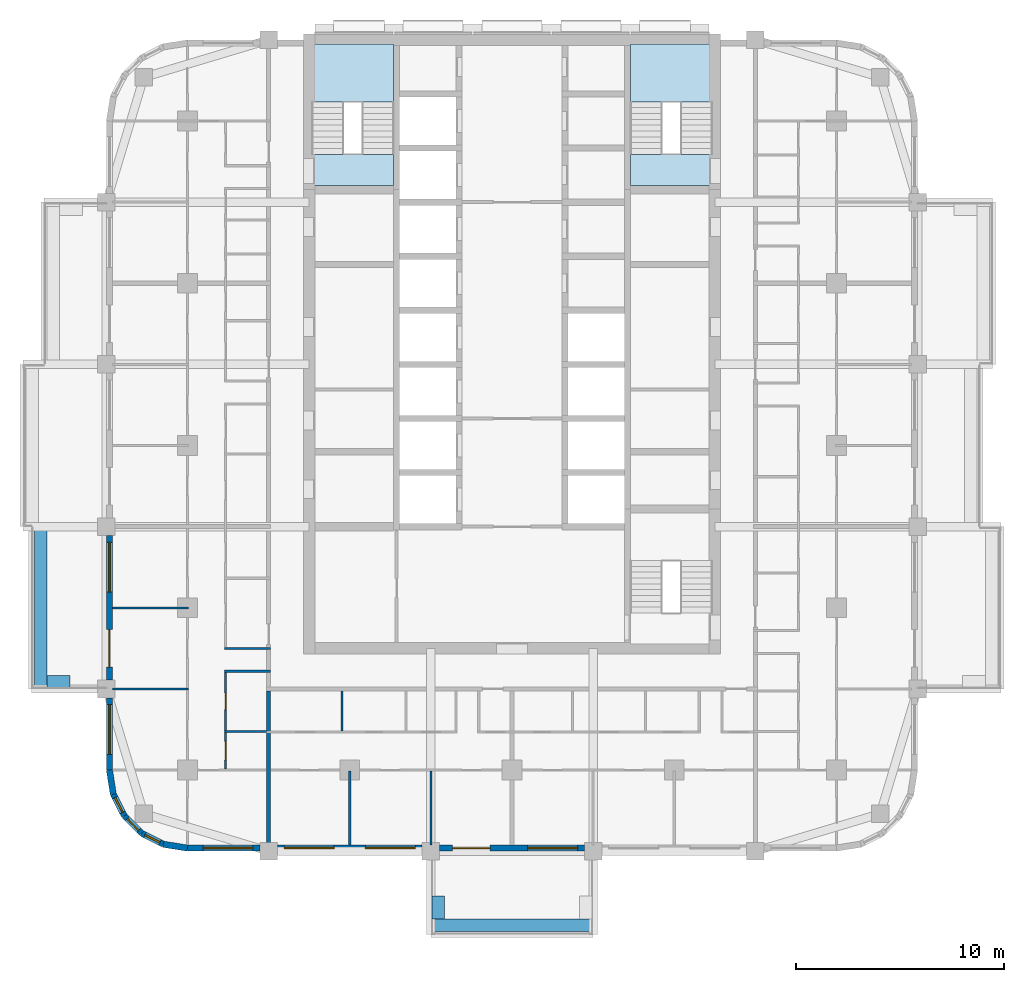
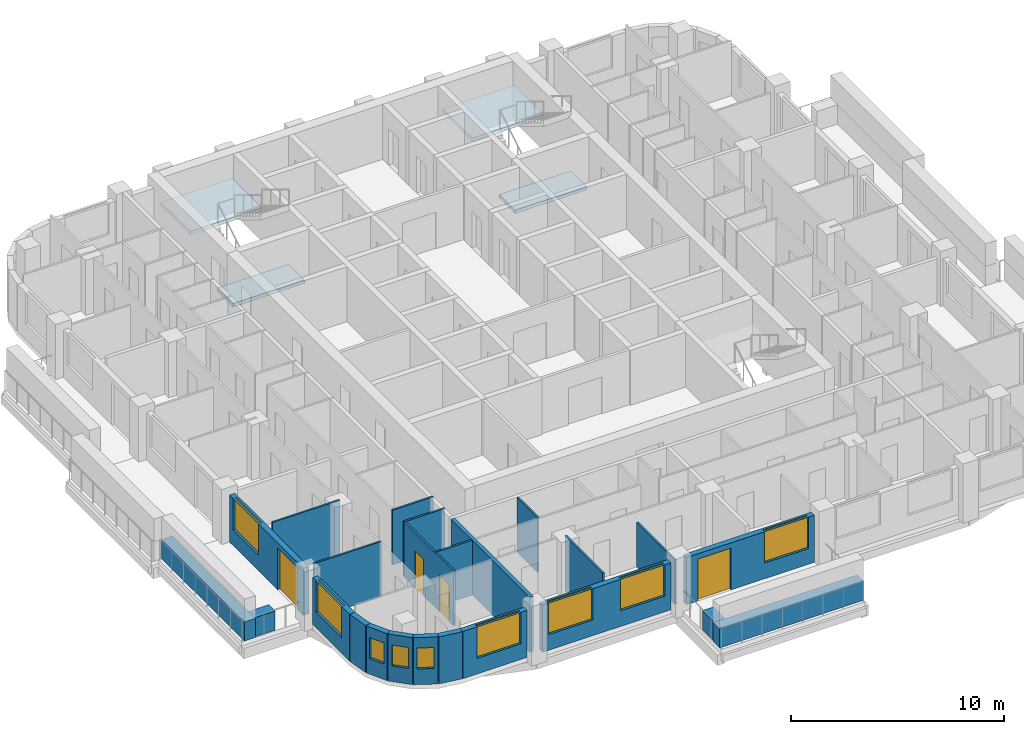
# One storey, part 2 of 14: 24 walls, 9 windows, 4 doors, 4 slabs, 13 openings, 2 elements without a shape of their own.
"""IFC4 building model written with IfcOpenShell, lengths in metres."""

from ifc_helpers import new_model, si_unit, direction, frame, frame_2d, origin, place, context, subcontext, project, spatial, polyline, rectangle, outline, extrude, material, layer, layer_set, type_object, element, fill, aggregate, save


model = new_model("IFC4")

# Units and contexts
model_context = context("Model", 3, precision=1e-05, world=origin(), true_north=direction((0.0, 1.0)))
body_context = subcontext(model_context, "Body", "Model", "MODEL_VIEW")
ifc_project = project(units=[si_unit("LENGTHUNIT", "METRE"), si_unit("AREAUNIT", "SQUARE_METRE"), si_unit("VOLUMEUNIT", "CUBIC_METRE"), si_unit("PLANEANGLEUNIT", "RADIAN"), si_unit("MASSUNIT", "GRAM", prefix="KILO")], contexts=[model_context])

# Site, building, storey
site_placement = place(None, origin())
site = spatial("IfcSite", under=ifc_project, at=site_placement, CompositionType="ELEMENT")
building_placement = place(site_placement, origin())
building = spatial("IfcBuilding", under=site, at=building_placement, Name="Ludao Terraces", CompositionType="ELEMENT")
storey_placement = place(building_placement, frame((0.0, 0.0, 110.10009765625)))
storey = spatial("IfcBuildingStorey", under=building, at=storey_placement, Name="L30", CompositionType="ELEMENT", Elevation=110.10009765625)

# Stair, slabs
ifc_material_1 = material(Name="Concrete C40", Category="concrete")
stair_type = type_object("IfcStairType", Name="INT Stair", PredefinedType="HALF_TURN_STAIR", material=ifc_material_1)
stair_1_placement = place(storey_placement, origin())
stair_1 = element("IfcStair", 1, at=stair_1_placement, inside=storey, type_object=stair_type, Name="EXIT STAIR 1", PredefinedType="HALF_TURN_STAIR")
ifc_layer_1 = layer(ifc_material_1, 0.199951171875)
ifc_layer_set_1 = layer_set([ifc_layer_1], Name="INT Stair landing 200")
slab_type = type_object("IfcSlabType", Name="INT Stair landing 200", PredefinedType="LANDING", material=ifc_layer_set_1)
slab_1_placement = place(storey_placement, frame((0.0, 0.0, 1.5)))
slab_1 = element("IfcSlab", 2, at=slab_1_placement, type_object=slab_type, Name="ST1 landing 1", PredefinedType="LANDING", context=body_context, shape_type="SweptSolid", body=[
    extrude(outline(polyline([(75.39990234375, 81.52001953125), (79.300048828125, 81.52001953125), (79.300048828125, 84.300048828125), (75.39990234375, 84.300048828125), (75.39990234375, 81.52001953125)])), origin(), (0.0, 0.0, 1.0), 0.199951171875),
])
slab_2_placement = place(storey_placement, frame((0.0, 0.0, -0.2001953125)))
slab_2 = element("IfcSlab", 3, at=slab_2_placement, type_object=slab_type, Name="ST1 landing 2", PredefinedType="LANDING", context=body_context, shape_type="SweptSolid", body=[
    extrude(outline(polyline([(75.39990234375, 77.5), (79.300048828125, 77.5), (79.300048828125, 79.0), (75.39990234375, 79.0), (75.39990234375, 77.5)])), origin(), (0.0, 0.0, 1.0), 0.2001953125),
])
aggregate(stair_1, [slab_1, slab_2])

stair_2_placement = place(storey_placement, origin())
stair_2 = element("IfcStair", 4, at=stair_2_placement, inside=storey, type_object=stair_type, Name="EXIT STAIR 2", PredefinedType="HALF_TURN_STAIR")
slab_3_placement = place(storey_placement, frame((0.0, 0.0, 1.5)))
slab_3 = element("IfcSlab", 5, at=slab_3_placement, type_object=slab_type, Name="ST2 landing 1", PredefinedType="LANDING", context=body_context, shape_type="SweptSolid", body=[
    extrude(outline(polyline([(90.699951171875, 81.52001953125), (94.60009765625, 81.52001953125), (94.60009765625, 84.300048828125), (90.699951171875, 84.300048828125), (90.699951171875, 81.52001953125)])), origin(), (0.0, 0.0, 1.0), 0.199951171875),
])
slab_4_placement = place(storey_placement, frame((0.0, 0.0, -0.2001953125)))
slab_4 = element("IfcSlab", 6, at=slab_4_placement, type_object=slab_type, Name="ST2 landing 2", PredefinedType="LANDING", context=body_context, shape_type="SweptSolid", body=[
    extrude(outline(polyline([(90.699951171875, 77.5), (94.60009765625, 77.5), (94.60009765625, 79.0), (90.699951171875, 79.0), (90.699951171875, 77.5)])), origin(), (0.0, 0.0, 1.0), 0.2001953125),
])
aggregate(stair_2, [slab_3, slab_4])

# Walls
ifc_layer_2 = layer(ifc_material_1, 0.60009765625)
ifc_layer_set_2 = layer_set([ifc_layer_2], Name="ENV Planter trough 600")
wall_type_1 = type_object("IfcWallType", Name="ENV Planter trough 600", PredefinedType="USERDEFINED", material=ifc_layer_set_2)
wall_1_placement = place(storey_placement, frame((81.10009765625, 41.949951171875, 0.0), z_axis=(0.0, 0.0, 1.0), x_axis=(1.0, 0.0, 0.0)))
element("IfcWall", 7, at=wall_1_placement, inside=storey, type_object=wall_type_1, Name="PL-L30-S1", ObjectType="PLANTER", PredefinedType="USERDEFINED", context=body_context, shape_type="SweptSolid", body=[
    extrude(rectangle(XDim=7.7998046875, YDim=0.60009765625, at=frame_2d((3.89990234375, 0.0))), origin(), (0.0, 0.0, 1.0), 1.099853515625),
])
wall_2_placement = place(storey_placement, frame((81.449951171875, 42.25, 0.0), z_axis=(0.0, 0.0, 1.0), x_axis=(0.0, 1.0, 0.0)))
element("IfcWall", 8, at=wall_2_placement, inside=storey, type_object=wall_type_1, Name="PL-L30-S1-SA", ObjectType="PLANTER", PredefinedType="USERDEFINED", context=body_context, shape_type="SweptSolid", body=[
    extrude(rectangle(XDim=1.10009765625, YDim=0.60009765625, at=frame_2d((0.550048828125, 0.0))), origin(), (0.0, 0.0, 1.0), 1.099853515625),
])
wall_3_placement = place(storey_placement, frame((62.35009765625, 53.300048828125, 0.0), z_axis=(0.0, 0.0, 1.0), x_axis=(0.0, 1.0, 0.0)))
element("IfcWall", 9, at=wall_3_placement, inside=storey, type_object=wall_type_1, Name="PL-L30-W1", ObjectType="PLANTER", PredefinedType="USERDEFINED", context=body_context, shape_type="SweptSolid", body=[
    extrude(rectangle(XDim=7.800048828125, YDim=0.60009765625, at=frame_2d((3.89990234375, 0.0))), origin(), (0.0, 0.0, 1.0), 1.099853515625),
])
wall_4_placement = place(storey_placement, frame((62.64990234375, 53.64990234375, 0.0), z_axis=(0.0, 0.0, 1.0), x_axis=(1.0, 0.0, 0.0)))
element("IfcWall", 10, at=wall_4_placement, inside=storey, type_object=wall_type_1, Name="PL-L30-W1-SA", ObjectType="PLANTER", PredefinedType="USERDEFINED", context=body_context, shape_type="SweptSolid", body=[
    extrude(rectangle(XDim=1.10009765625, YDim=0.60009765625, at=frame_2d((0.550048828125, 0.0))), origin(), (0.0, 0.0, 1.0), 1.099853515625),
])

# Wall, opening, window
ifc_material_2 = material(Name="Granite cladding", Category="masonry")
ifc_layer_3 = layer(ifc_material_2, 0.0400390625, Category="stone")
ifc_material_3 = material(Name="Mineral wool")
ifc_layer_4 = layer(ifc_material_3, 0.06005859375)
ifc_layer_5 = layer(ifc_material_1, 0.199951171875, Category="concrete")
ifc_layer_set_3 = layer_set([ifc_layer_3, ifc_layer_4, ifc_layer_5], Name="ENV Stone-clad wall 300")
wall_type_2 = type_object("IfcWallType", Name="ENV Stone-clad wall 300", PredefinedType="SOLIDWALL", material=ifc_layer_set_3)
wall_5_placement = place(storey_placement, frame((69.39990234375, 45.64990234375, 0.0), z_axis=(0.0, 0.0, 1.0), x_axis=(1.0, 0.0, 0.0)))
wall_5 = element("IfcWall", 11, at=wall_5_placement, inside=storey, type_object=wall_type_2, Name="EW-L30-S1", PredefinedType="SOLIDWALL", context=body_context, shape_type="SweptSolid", body=[
    extrude(rectangle(XDim=3.47509765625, YDim=0.300048828125, at=frame_2d((1.737548828125, 0.0))), origin(), (0.0, 0.0, 1.0), 2.699951171875),
])
opening_1_placement = place(wall_5_placement, frame((0.75, 0.0, 0.89990234375)))
opening_1 = element("IfcOpeningElement", 12, at=opening_1_placement, cuts=wall_5, Name="Opening W1", PredefinedType="OPENING", context=body_context, shape_type="SweptSolid", body=[
    extrude(rectangle(XDim=2.39990234375, YDim=1.800048828125, at=frame_2d((1.199951171875, 0.89990234375))), frame((0.0, 0.16015625, 0.0), z_axis=(0.0, -1.0, 0.0), x_axis=(1.0, 0.0, 0.0)), (0.0, 0.0, 1.0), 0.320068359375),
])
ifc_material_4 = material(Name="Clear glass in aluminium frame", Category="aluminium")
ifc_layer_6 = layer(ifc_material_4, 0.06005859375)
ifc_layer_set_4 = layer_set([ifc_layer_6], Name="ENV Window W1 2400x1800")
window_type_1 = type_object("IfcWindowType", Name="ENV Window W1 2400x1800", PartitioningType="DOUBLE_PANEL_VERTICAL", PredefinedType="WINDOW", material=ifc_layer_set_4)
window_1_placement = place(opening_1_placement, origin())
window_1 = element("IfcWindow", 13, at=window_1_placement, inside=storey, type_object=window_type_1, Name="W-L30-S1-1", OverallHeight=1.800048828125, OverallWidth=2.39990234375, PartitioningType="DOUBLE_PANEL_VERTICAL", PredefinedType="WINDOW", context=body_context, shape_type="SweptSolid", body=[
    extrude(rectangle(XDim=2.39990234375, YDim=1.800048828125, at=frame_2d((1.199951171875, 0.89990234375))), frame((0.0, 0.030029296875, 0.0), z_axis=(0.0, -1.0, 0.0), x_axis=(1.0, 0.0, 0.0)), (0.0, 0.0, 1.0), 0.06005859375),
])
fill(opening_1, window_1)

# Wall, openings, windows
wall_6_placement = place(storey_placement, frame((73.72509765625, 45.64990234375, 0.0), z_axis=(0.0, 0.0, 1.0), x_axis=(1.0, 0.0, 0.0)))
wall_6 = element("IfcWall", 14, at=wall_6_placement, inside=storey, type_object=wall_type_2, Name="EW-L30-S2", PredefinedType="SOLIDWALL", context=body_context, shape_type="SweptSolid", body=[
    extrude(rectangle(XDim=6.949951171875, YDim=0.300048828125, at=frame_2d((3.47509765625, 0.0))), origin(), (0.0, 0.0, 1.0), 2.699951171875),
])
opening_2_placement = place(wall_6_placement, frame((0.324951171875, 0.0, 0.89990234375)))
opening_2 = element("IfcOpeningElement", 15, at=opening_2_placement, cuts=wall_6, Name="Opening W1", PredefinedType="OPENING", context=body_context, shape_type="SweptSolid", body=[
    extrude(rectangle(XDim=2.39990234375, YDim=1.800048828125, at=frame_2d((1.199951171875, 0.89990234375))), frame((0.0, 0.16015625, 0.0), z_axis=(0.0, -1.0, 0.0), x_axis=(1.0, 0.0, 0.0)), (0.0, 0.0, 1.0), 0.320068359375),
])
opening_3_placement = place(wall_6_placement, frame((4.22509765625, 0.0, 0.89990234375)))
opening_3 = element("IfcOpeningElement", 16, at=opening_3_placement, cuts=wall_6, Name="Opening W1", PredefinedType="OPENING", context=body_context, shape_type="SweptSolid", body=[
    extrude(rectangle(XDim=2.39990234375, YDim=1.800048828125, at=frame_2d((1.199951171875, 0.89990234375))), frame((0.0, 0.16015625, 0.0), z_axis=(0.0, -1.0, 0.0), x_axis=(1.0, 0.0, 0.0)), (0.0, 0.0, 1.0), 0.320068359375),
])
window_2_placement = place(opening_2_placement, origin())
window_2 = element("IfcWindow", 17, at=window_2_placement, inside=storey, type_object=window_type_1, Name="W-L30-S2-1", OverallHeight=1.800048828125, OverallWidth=2.39990234375, PartitioningType="DOUBLE_PANEL_VERTICAL", PredefinedType="WINDOW", context=body_context, shape_type="SweptSolid", body=[
    extrude(rectangle(XDim=2.39990234375, YDim=1.800048828125, at=frame_2d((1.199951171875, 0.89990234375))), frame((0.0, 0.030029296875, 0.0), z_axis=(0.0, -1.0, 0.0), x_axis=(1.0, 0.0, 0.0)), (0.0, 0.0, 1.0), 0.06005859375),
])
fill(opening_2, window_2)
window_3_placement = place(opening_3_placement, origin())
window_3 = element("IfcWindow", 18, at=window_3_placement, inside=storey, type_object=window_type_1, Name="W-L30-S2-2", OverallHeight=1.800048828125, OverallWidth=2.39990234375, PartitioningType="DOUBLE_PANEL_VERTICAL", PredefinedType="WINDOW", context=body_context, shape_type="SweptSolid", body=[
    extrude(rectangle(XDim=2.39990234375, YDim=1.800048828125, at=frame_2d((1.199951171875, 0.89990234375))), frame((0.0, 0.030029296875, 0.0), z_axis=(0.0, -1.0, 0.0), x_axis=(1.0, 0.0, 0.0)), (0.0, 0.0, 1.0), 0.06005859375),
])
fill(opening_3, window_3)

# Wall, openings, door, window
wall_7_placement = place(storey_placement, frame((81.52490234375, 45.64990234375, 0.0), z_axis=(0.0, 0.0, 1.0), x_axis=(1.0, 0.0, 0.0)))
wall_7 = element("IfcWall", 19, at=wall_7_placement, inside=storey, type_object=wall_type_2, Name="EW-L30-S3", PredefinedType="SOLIDWALL", context=body_context, shape_type="SweptSolid", body=[
    extrude(rectangle(XDim=6.9501953125, YDim=0.300048828125, at=frame_2d((3.47509765625, 0.0))), origin(), (0.0, 0.0, 1.0), 2.699951171875),
])
opening_4_placement = place(wall_7_placement, frame((0.625, 0.0, 0.0)))
opening_4 = element("IfcOpeningElement", 20, at=opening_4_placement, cuts=wall_7, Name="Opening BD", PredefinedType="OPENING", context=body_context, shape_type="SweptSolid", body=[
    extrude(rectangle(XDim=1.800048828125, YDim=2.39990234375, at=frame_2d((0.89990234375, 1.199951171875))), frame((0.0, 0.16015625, 0.0), z_axis=(0.0, -1.0, 0.0), x_axis=(1.0, 0.0, 0.0)), (0.0, 0.0, 1.0), 0.320068359375),
])
opening_5_placement = place(wall_7_placement, frame((4.22509765625, 0.0, 0.89990234375)))
opening_5 = element("IfcOpeningElement", 21, at=opening_5_placement, cuts=wall_7, Name="Opening W1", PredefinedType="OPENING", context=body_context, shape_type="SweptSolid", body=[
    extrude(rectangle(XDim=2.39990234375, YDim=1.800048828125, at=frame_2d((1.199951171875, 0.89990234375))), frame((0.0, 0.16015625, 0.0), z_axis=(0.0, -1.0, 0.0), x_axis=(1.0, 0.0, 0.0)), (0.0, 0.0, 1.0), 0.320068359375),
])
ifc_material_5 = material(Name="Aluminium glazed door", Category="aluminium")
ifc_layer_7 = layer(ifc_material_5, 0.06005859375)
ifc_layer_set_5 = layer_set([ifc_layer_7], Name="ENV Balcony door BD 1800x2400")
door_type_1 = type_object("IfcDoorType", Name="ENV Balcony door BD 1800x2400", OperationType="DOUBLE_DOOR_SINGLE_SWING", PredefinedType="DOOR", material=ifc_layer_set_5)
door_1_placement = place(opening_4_placement, origin())
door_1 = element("IfcDoor", 22, at=door_1_placement, inside=storey, type_object=door_type_1, Name="BD-L30-S3-1", OperationType="DOUBLE_DOOR_SINGLE_SWING", OverallHeight=2.39990234375, OverallWidth=1.800048828125, PredefinedType="DOOR", context=body_context, shape_type="SweptSolid", body=[
    extrude(rectangle(XDim=1.800048828125, YDim=2.39990234375, at=frame_2d((0.89990234375, 1.199951171875))), frame((0.0, 0.02490234375, 0.0), z_axis=(0.0, -1.0, 0.0), x_axis=(1.0, 0.0, 0.0)), (0.0, 0.0, 1.0), 0.050048828125),
])
fill(opening_4, door_1)
window_4_placement = place(opening_5_placement, origin())
window_4 = element("IfcWindow", 23, at=window_4_placement, inside=storey, type_object=window_type_1, Name="W-L30-S3-2", OverallHeight=1.800048828125, OverallWidth=2.39990234375, PartitioningType="DOUBLE_PANEL_VERTICAL", PredefinedType="WINDOW", context=body_context, shape_type="SweptSolid", body=[
    extrude(rectangle(XDim=2.39990234375, YDim=1.800048828125, at=frame_2d((1.199951171875, 0.89990234375))), frame((0.0, 0.030029296875, 0.0), z_axis=(0.0, -1.0, 0.0), x_axis=(1.0, 0.0, 0.0)), (0.0, 0.0, 1.0), 0.06005859375),
])
fill(opening_5, window_4)

# Wall, opening, window
wall_8_placement = place(storey_placement, frame((65.64990234375, 49.39990234375, 0.0), z_axis=(0.0, 0.0, 1.0), x_axis=(0.0, 1.0, 0.0)))
wall_8 = element("IfcWall", 24, at=wall_8_placement, inside=storey, type_object=wall_type_2, Name="EW-L30-W1", PredefinedType="SOLIDWALL", context=body_context, shape_type="SweptSolid", body=[
    extrude(rectangle(XDim=3.47509765625, YDim=0.300048828125, at=frame_2d((1.737548828125, 0.0))), origin(), (0.0, 0.0, 1.0), 2.699951171875),
])
opening_6_placement = place(wall_8_placement, frame((0.75, 0.0, 0.89990234375)))
opening_6 = element("IfcOpeningElement", 25, at=opening_6_placement, cuts=wall_8, Name="Opening W1", PredefinedType="OPENING", context=body_context, shape_type="SweptSolid", body=[
    extrude(rectangle(XDim=2.39990234375, YDim=1.800048828125, at=frame_2d((1.199951171875, 0.89990234375))), frame((0.0, 0.16015625, 0.0), z_axis=(0.0, -1.0, 0.0), x_axis=(1.0, 0.0, 0.0)), (0.0, 0.0, 1.0), 0.320068359375),
])
window_5_placement = place(opening_6_placement, origin())
window_5 = element("IfcWindow", 26, at=window_5_placement, inside=storey, type_object=window_type_1, Name="W-L30-W1-1", OverallHeight=1.800048828125, OverallWidth=2.39990234375, PartitioningType="DOUBLE_PANEL_VERTICAL", PredefinedType="WINDOW", context=body_context, shape_type="SweptSolid", body=[
    extrude(rectangle(XDim=2.39990234375, YDim=1.800048828125, at=frame_2d((1.199951171875, 0.89990234375))), frame((0.0, 0.030029296875, 0.0), z_axis=(0.0, -1.0, 0.0), x_axis=(1.0, 0.0, 0.0)), (0.0, 0.0, 1.0), 0.06005859375),
])
fill(opening_6, window_5)

# Wall, openings, door, window
wall_9_placement = place(storey_placement, frame((65.64990234375, 53.72509765625, 0.0), z_axis=(0.0, 0.0, 1.0), x_axis=(0.0, 1.0, 0.0)))
wall_9 = element("IfcWall", 27, at=wall_9_placement, inside=storey, type_object=wall_type_2, Name="EW-L30-W2", PredefinedType="SOLIDWALL", context=body_context, shape_type="SweptSolid", body=[
    extrude(rectangle(XDim=6.949951171875, YDim=0.300048828125, at=frame_2d((3.47509765625, 0.0))), origin(), (0.0, 0.0, 1.0), 2.699951171875),
])
opening_7_placement = place(wall_9_placement, frame((0.625, 0.0, 0.0)))
opening_7 = element("IfcOpeningElement", 28, at=opening_7_placement, cuts=wall_9, Name="Opening BD", PredefinedType="OPENING", context=body_context, shape_type="SweptSolid", body=[
    extrude(rectangle(XDim=1.800048828125, YDim=2.39990234375, at=frame_2d((0.89990234375, 1.199951171875))), frame((0.0, 0.16015625, 0.0), z_axis=(0.0, -1.0, 0.0), x_axis=(1.0, 0.0, 0.0)), (0.0, 0.0, 1.0), 0.320068359375),
])
opening_8_placement = place(wall_9_placement, frame((4.22509765625, 0.0, 0.89990234375)))
opening_8 = element("IfcOpeningElement", 29, at=opening_8_placement, cuts=wall_9, Name="Opening W1", PredefinedType="OPENING", context=body_context, shape_type="SweptSolid", body=[
    extrude(rectangle(XDim=2.39990234375, YDim=1.800048828125, at=frame_2d((1.199951171875, 0.89990234375))), frame((0.0, 0.16015625, 0.0), z_axis=(0.0, -1.0, 0.0), x_axis=(1.0, 0.0, 0.0)), (0.0, 0.0, 1.0), 0.320068359375),
])
door_2_placement = place(opening_7_placement, origin())
door_2 = element("IfcDoor", 30, at=door_2_placement, inside=storey, type_object=door_type_1, Name="BD-L30-W2-1", OperationType="DOUBLE_DOOR_SINGLE_SWING", OverallHeight=2.39990234375, OverallWidth=1.800048828125, PredefinedType="DOOR", context=body_context, shape_type="SweptSolid", body=[
    extrude(rectangle(XDim=1.800048828125, YDim=2.39990234375, at=frame_2d((0.89990234375, 1.199951171875))), frame((0.0, 0.02490234375, 0.0), z_axis=(0.0, -1.0, 0.0), x_axis=(1.0, 0.0, 0.0)), (0.0, 0.0, 1.0), 0.050048828125),
])
fill(opening_7, door_2)
window_6_placement = place(opening_8_placement, origin())
window_6 = element("IfcWindow", 31, at=window_6_placement, inside=storey, type_object=window_type_1, Name="W-L30-W2-2", OverallHeight=1.800048828125, OverallWidth=2.39990234375, PartitioningType="DOUBLE_PANEL_VERTICAL", PredefinedType="WINDOW", context=body_context, shape_type="SweptSolid", body=[
    extrude(rectangle(XDim=2.39990234375, YDim=1.800048828125, at=frame_2d((1.199951171875, 0.89990234375))), frame((0.0, 0.030029296875, 0.0), z_axis=(0.0, -1.0, 0.0), x_axis=(1.0, 0.0, 0.0)), (0.0, 0.0, 1.0), 0.06005859375),
])
fill(opening_8, window_6)

# Wall
wall_10_placement = place(storey_placement, frame((65.64990234375, 49.39990234375, 0.0), z_axis=(0.0, 0.0, 1.0), x_axis=(0.156496880861, -0.987678452879, 0.0)))
element("IfcWall", 32, at=wall_10_placement, inside=storey, type_object=wall_type_2, Name="EW-L30-SW1", PredefinedType="SOLIDWALL", context=body_context, shape_type="SweptSolid", body=[
    extrude(rectangle(XDim=1.173095703125, YDim=0.300048828125, at=frame_2d((0.58642578125, 0.0))), origin(), (0.0, 0.0, 1.0), 2.699951171875),
])

# Wall, opening, window
wall_11_placement = place(storey_placement, frame((65.83349609375, 48.2412109375, 0.0), z_axis=(0.0, 0.0, 1.0), x_axis=(0.454025524128, -0.890988677504, 0.0)))
wall_11 = element("IfcWall", 33, at=wall_11_placement, inside=storey, type_object=wall_type_2, Name="EW-L30-SW2", PredefinedType="SOLIDWALL", context=body_context, shape_type="SweptSolid", body=[
    extrude(rectangle(XDim=1.17333984375, YDim=0.300048828125, at=frame_2d((0.586669921875, 0.0))), origin(), (0.0, 0.0, 1.0), 2.699951171875),
])
opening_9_placement = place(wall_11_placement, frame((0.1865234375, 0.0, 0.89990234375)))
opening_9 = element("IfcOpeningElement", 34, at=opening_9_placement, cuts=wall_11, Name="Opening W3", PredefinedType="OPENING", context=body_context, shape_type="SweptSolid", body=[
    extrude(rectangle(XDim=0.800048828125, YDim=1.199951171875, at=frame_2d((0.39990234375, 0.60009765625))), frame((0.0, 0.16015625, 0.0), z_axis=(0.0, -1.0, 0.0), x_axis=(1.0, 0.0, 0.0)), (0.0, 0.0, 1.0), 0.320068359375),
])
ifc_layer_8 = layer(ifc_material_4, 0.06005859375)
ifc_layer_set_6 = layer_set([ifc_layer_8], Name="ENV Window W3 800x1200")
window_type_2 = type_object("IfcWindowType", Name="ENV Window W3 800x1200", PartitioningType="SINGLE_PANEL", PredefinedType="WINDOW", material=ifc_layer_set_6)
window_7_placement = place(opening_9_placement, origin())
window_7 = element("IfcWindow", 35, at=window_7_placement, inside=storey, type_object=window_type_2, Name="W-L30-SW2", OverallHeight=1.199951171875, OverallWidth=0.800048828125, PartitioningType="SINGLE_PANEL", PredefinedType="WINDOW", context=body_context, shape_type="SweptSolid", body=[
    extrude(rectangle(XDim=0.800048828125, YDim=1.199951171875, at=frame_2d((0.39990234375, 0.60009765625))), frame((0.0, 0.030029296875, 0.0), z_axis=(0.0, -1.0, 0.0), x_axis=(1.0, 0.0, 0.0)), (0.0, 0.0, 1.0), 0.06005859375),
])
fill(opening_9, window_7)

wall_12_placement = place(storey_placement, frame((66.3662109375, 47.19580078125, 0.0), z_axis=(0.0, 0.0, 1.0), x_axis=(0.707106781187, -0.707106781187, 0.0)))
wall_12 = element("IfcWall", 36, at=wall_12_placement, inside=storey, type_object=wall_type_2, Name="EW-L30-SW3", PredefinedType="SOLIDWALL", context=body_context, shape_type="SweptSolid", body=[
    extrude(rectangle(XDim=1.173095703125, YDim=0.300048828125, at=frame_2d((0.58642578125, 0.0))), origin(), (0.0, 0.0, 1.0), 2.699951171875),
])
opening_10_placement = place(wall_12_placement, frame((0.1865234375, 0.0, 0.89990234375)))
opening_10 = element("IfcOpeningElement", 37, at=opening_10_placement, cuts=wall_12, Name="Opening W3", PredefinedType="OPENING", context=body_context, shape_type="SweptSolid", body=[
    extrude(rectangle(XDim=0.800048828125, YDim=1.199951171875, at=frame_2d((0.39990234375, 0.60009765625))), frame((0.0, 0.16015625, 0.0), z_axis=(0.0, -1.0, 0.0), x_axis=(1.0, 0.0, 0.0)), (0.0, 0.0, 1.0), 0.320068359375),
])
window_8_placement = place(opening_10_placement, origin())
window_8 = element("IfcWindow", 38, at=window_8_placement, inside=storey, type_object=window_type_2, Name="W-L30-SW3", OverallHeight=1.199951171875, OverallWidth=0.800048828125, PartitioningType="SINGLE_PANEL", PredefinedType="WINDOW", context=body_context, shape_type="SweptSolid", body=[
    extrude(rectangle(XDim=0.800048828125, YDim=1.199951171875, at=frame_2d((0.39990234375, 0.60009765625))), frame((0.0, 0.030029296875, 0.0), z_axis=(0.0, -1.0, 0.0), x_axis=(1.0, 0.0, 0.0)), (0.0, 0.0, 1.0), 0.06005859375),
])
fill(opening_10, window_8)

wall_13_placement = place(storey_placement, frame((67.19580078125, 46.3662109375, 0.0), z_axis=(0.0, 0.0, 1.0), x_axis=(0.890988677504, -0.454025524128, 0.0)))
wall_13 = element("IfcWall", 39, at=wall_13_placement, inside=storey, type_object=wall_type_2, Name="EW-L30-SW4", PredefinedType="SOLIDWALL", context=body_context, shape_type="SweptSolid", body=[
    extrude(rectangle(XDim=1.17333984375, YDim=0.300048828125, at=frame_2d((0.586669921875, 0.0))), origin(), (0.0, 0.0, 1.0), 2.699951171875),
])
opening_11_placement = place(wall_13_placement, frame((0.1865234375, 0.0, 0.89990234375)))
opening_11 = element("IfcOpeningElement", 40, at=opening_11_placement, cuts=wall_13, Name="Opening W3", PredefinedType="OPENING", context=body_context, shape_type="SweptSolid", body=[
    extrude(rectangle(XDim=0.800048828125, YDim=1.199951171875, at=frame_2d((0.39990234375, 0.60009765625))), frame((0.0, 0.16015625, 0.0), z_axis=(0.0, -1.0, 0.0), x_axis=(1.0, 0.0, 0.0)), (0.0, 0.0, 1.0), 0.320068359375),
])
window_9_placement = place(opening_11_placement, origin())
window_9 = element("IfcWindow", 41, at=window_9_placement, inside=storey, type_object=window_type_2, Name="W-L30-SW4", OverallHeight=1.199951171875, OverallWidth=0.800048828125, PartitioningType="SINGLE_PANEL", PredefinedType="WINDOW", context=body_context, shape_type="SweptSolid", body=[
    extrude(rectangle(XDim=0.800048828125, YDim=1.199951171875, at=frame_2d((0.39990234375, 0.60009765625))), frame((0.0, 0.030029296875, 0.0), z_axis=(0.0, -1.0, 0.0), x_axis=(1.0, 0.0, 0.0)), (0.0, 0.0, 1.0), 0.06005859375),
])
fill(opening_11, window_9)

# Walls
wall_14_placement = place(storey_placement, frame((68.2412109375, 45.83349609375, 0.0), z_axis=(0.0, 0.0, 1.0), x_axis=(0.987678452879, -0.156496880861, 0.0)))
element("IfcWall", 42, at=wall_14_placement, inside=storey, type_object=wall_type_2, Name="EW-L30-SW5", PredefinedType="SOLIDWALL", context=body_context, shape_type="SweptSolid", body=[
    extrude(rectangle(XDim=1.173095703125, YDim=0.300048828125, at=frame_2d((0.58642578125, 0.0))), origin(), (0.0, 0.0, 1.0), 2.699951171875),
])
ifc_material_6 = material(Name="Gypsum plasterboard", Category="gypsum")
ifc_layer_9 = layer(ifc_material_6, 0.012451171875, Category="gypsum")
ifc_layer_10 = layer(ifc_material_3, 0.06005859375, Name="insulation")
ifc_material_7 = material(Name="Steel Q235", Category="steel")
ifc_layer_11 = layer(ifc_material_7, 0.014892578125, Name="stud")
ifc_layer_12 = layer(ifc_material_6, 0.012451171875, Category="gypsum")
ifc_layer_set_7 = layer_set([ifc_layer_9, ifc_layer_10, ifc_layer_11, ifc_layer_12], Name="INT Partition 100")
wall_type_3 = type_object("IfcWallType", Name="INT Partition 100", PredefinedType="PARTITIONING", material=ifc_layer_set_7)
wall_15_placement = place(storey_placement, frame((71.18017578125, 51.25, 0.0), z_axis=(0.0, 0.0, 1.0), x_axis=(1.0, 0.0, 0.0)))
element("IfcWall", 43, at=wall_15_placement, inside=storey, type_object=wall_type_3, Name="PW-L30-PW004", PredefinedType="PARTITIONING", context=body_context, shape_type="SweptSolid", body=[
    extrude(rectangle(XDim=2.02001953125, YDim=0.10009765625, at=frame_2d((1.010009765625, 0.0))), origin(), (0.0, 0.0, 1.0), 3.14990234375),
])
wall_16_placement = place(storey_placement, frame((65.800048828125, 53.300048828125, 0.0), z_axis=(0.0, 0.0, 1.0), x_axis=(1.0, 0.0, 0.0)))
element("IfcWall", 44, at=wall_16_placement, inside=storey, type_object=wall_type_3, Name="PW-L30-PW007", PredefinedType="PARTITIONING", context=body_context, shape_type="SweptSolid", body=[
    extrude(rectangle(XDim=3.650146484375, YDim=0.10009765625, at=frame_2d((1.8251953125, 0.0))), origin(), (0.0, 0.0, 1.0), 3.14990234375),
])
for number, where, z_axis, x_axis, name in (
    (45, (71.18017578125, 54.14990234375, 0.0), (0.0, 0.0, 1.0), (1.0, 0.0, 0.0), "PW-L30-PW010"),
    (46, (71.18017578125, 55.25, 0.0), (0.0, 0.0, 1.0), (1.0, 0.0, 0.0), "PW-L30-PW012"),
):
    element("IfcWall", number, at=place(storey_placement, frame(where, z_axis=z_axis, x_axis=x_axis)), inside=storey, type_object=wall_type_3, Name=name, PredefinedType="PARTITIONING", context=body_context, shape_type="SweptSolid", body=[
        extrude(rectangle(XDim=2.219970703125, YDim=0.10009765625, at=frame_2d((1.10986328125, 0.0))), origin(), (0.0, 0.0, 1.0), 3.14990234375),
    ])
wall_17_placement = place(storey_placement, frame((65.800048828125, 57.199951171875, 0.0), z_axis=(0.0, 0.0, 1.0), x_axis=(1.0, 0.0, 0.0)))
element("IfcWall", 47, at=wall_17_placement, inside=storey, type_object=wall_type_3, Name="PW-L30-PW014", PredefinedType="PARTITIONING", context=body_context, shape_type="SweptSolid", body=[
    extrude(rectangle(XDim=3.650146484375, YDim=0.10009765625, at=frame_2d((1.8251953125, 0.0))), origin(), (0.0, 0.0, 1.0), 3.14990234375),
])

# Wall, openings, doors
wall_18_placement = place(storey_placement, frame((71.22998046875, 49.4501953125, 0.0), z_axis=(0.0, 0.0, 1.0), x_axis=(0.0, 1.0, 0.0)))
wall_18 = element("IfcWall", 48, at=wall_18_placement, inside=storey, type_object=wall_type_3, Name="PW-L30-PW051", PredefinedType="PARTITIONING", context=body_context, shape_type="SweptSolid", body=[
    extrude(rectangle(XDim=4.64990234375, YDim=0.10009765625, at=frame_2d((2.324951171875, 0.0))), origin(), (0.0, 0.0, 1.0), 3.14990234375),
])
opening_12_placement = place(wall_18_placement, frame((0.4248046875, 0.0, 0.0)))
opening_12 = element("IfcOpeningElement", 49, at=opening_12_placement, cuts=wall_18, Name="Opening R09-011", PredefinedType="OPENING", context=body_context, shape_type="SweptSolid", body=[
    extrude(rectangle(XDim=0.89990234375, YDim=2.10009765625, at=frame_2d((0.449951171875, 1.050048828125))), frame((0.0, 0.06005859375, 0.0), z_axis=(0.0, -1.0, 0.0), x_axis=(1.0, 0.0, 0.0)), (0.0, 0.0, 1.0), 0.1201171875),
])
opening_13_placement = place(wall_18_placement, frame((2.849853515625, 0.0, 0.0)))
opening_13 = element("IfcOpeningElement", 50, at=opening_13_placement, cuts=wall_18, Name="Opening R09-024", PredefinedType="OPENING", context=body_context, shape_type="SweptSolid", body=[
    extrude(rectangle(XDim=0.800048828125, YDim=2.10009765625, at=frame_2d((0.39990234375, 1.050048828125))), frame((0.0, 0.06005859375, 0.0), z_axis=(0.0, -1.0, 0.0), x_axis=(1.0, 0.0, 0.0)), (0.0, 0.0, 1.0), 0.1201171875),
])
ifc_material_8 = material(Name="Timber door leaf", Category="wood")
door_type_2 = type_object("IfcDoorType", Name="INT Bathroom door 900", OperationType="SINGLE_SWING_LEFT", PredefinedType="DOOR", material=ifc_material_8)
door_3_placement = place(opening_12_placement, origin())
door_3 = element("IfcDoor", 51, at=door_3_placement, inside=storey, type_object=door_type_2, Name="DOOR 011", OperationType="SINGLE_SWING_RIGHT", OverallHeight=2.10009765625, OverallWidth=0.89990234375, PredefinedType="DOOR", context=body_context, shape_type="SweptSolid", body=[
    extrude(rectangle(XDim=0.89990234375, YDim=2.10009765625, at=frame_2d((0.449951171875, 1.050048828125))), frame((0.0, 0.02490234375, 0.0), z_axis=(0.0, -1.0, 0.0), x_axis=(1.0, 0.0, 0.0)), (0.0, 0.0, 1.0), 0.050048828125),
])
fill(opening_12, door_3)
door_type_3 = type_object("IfcDoorType", Name="INT Store door 800", OperationType="SINGLE_SWING_LEFT", PredefinedType="DOOR", material=ifc_material_8)
door_4_placement = place(opening_13_placement, origin())
door_4 = element("IfcDoor", 52, at=door_4_placement, inside=storey, type_object=door_type_3, Name="DOOR 024", OperationType="SINGLE_SWING_RIGHT", OverallHeight=2.10009765625, OverallWidth=0.800048828125, PredefinedType="DOOR", context=body_context, shape_type="SweptSolid", body=[
    extrude(rectangle(XDim=0.800048828125, YDim=2.10009765625, at=frame_2d((0.39990234375, 1.050048828125))), frame((0.0, 0.02490234375, 0.0), z_axis=(0.0, -1.0, 0.0), x_axis=(1.0, 0.0, 0.0)), (0.0, 0.0, 1.0), 0.050048828125),
])
fill(opening_13, door_4)

# Walls
wall_19_placement = place(storey_placement, frame((76.820068359375, 51.280029296875, 0.0), z_axis=(0.0, 0.0, 1.0), x_axis=(0.0, 1.0, 0.0)))
element("IfcWall", 53, at=wall_19_placement, inside=storey, type_object=wall_type_3, Name="PW-L30-PW057", PredefinedType="PARTITIONING", context=body_context, shape_type="SweptSolid", body=[
    extrude(rectangle(XDim=1.920166015625, YDim=0.10009765625, at=frame_2d((0.9599609375, 0.0))), origin(), (0.0, 0.0, 1.0), 3.14990234375),
])
wall_20_placement = place(storey_placement, frame((77.199951171875, 45.800048828125, 0.0), z_axis=(0.0, 0.0, 1.0), x_axis=(0.0, 1.0, 0.0)))
element("IfcWall", 54, at=wall_20_placement, inside=storey, type_object=wall_type_3, Name="PW-L30-PW058", PredefinedType="PARTITIONING", context=body_context, shape_type="SweptSolid", body=[
    extrude(rectangle(XDim=3.550048828125, YDim=0.10009765625, at=frame_2d((1.77490234375, 0.0))), origin(), (0.0, 0.0, 1.0), 3.14990234375),
])
wall_21_placement = place(storey_placement, frame((81.10009765625, 45.800048828125, 0.0), z_axis=(0.0, 0.0, 1.0), x_axis=(0.0, 1.0, 0.0)))
element("IfcWall", 55, at=wall_21_placement, inside=storey, type_object=wall_type_3, Name="PW-L30-PW061", PredefinedType="PARTITIONING", context=body_context, shape_type="SweptSolid", body=[
    extrude(rectangle(XDim=3.550048828125, YDim=0.10009765625, at=frame_2d((1.77490234375, 0.0))), origin(), (0.0, 0.0, 1.0), 2.5498046875),
])
ifc_material_9 = material(Name="Autoclaved aerated concrete block B06 A3.5", Category="concrete")
ifc_layer_13 = layer(ifc_material_9, 0.199951171875)
ifc_layer_set_8 = layer_set([ifc_layer_13], Name="INT Party wall 200")
wall_type_4 = type_object("IfcWallType", Name="INT Party wall 200", PredefinedType="PARTITIONING", material=ifc_layer_set_8)
wall_22_placement = place(storey_placement, frame((73.300048828125, 45.800048828125, 0.0), z_axis=(0.0, 0.0, 1.0), x_axis=(0.0, 1.0, 0.0)))
element("IfcWall", 56, at=wall_22_placement, inside=storey, type_object=wall_type_4, Name="PW-L30-PW055", PredefinedType="PARTITIONING", context=body_context, shape_type="SweptSolid", body=[
    extrude(rectangle(XDim=7.400146484375, YDim=0.199951171875, at=frame_2d((3.7001953125, 0.0))), origin(), (0.0, 0.0, 1.0), 3.14990234375),
])

save(model, "model.ifc")
